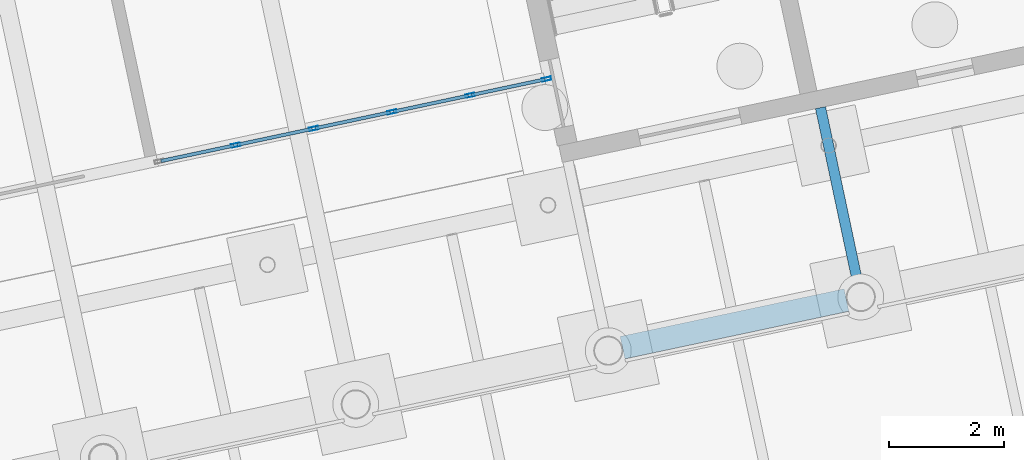
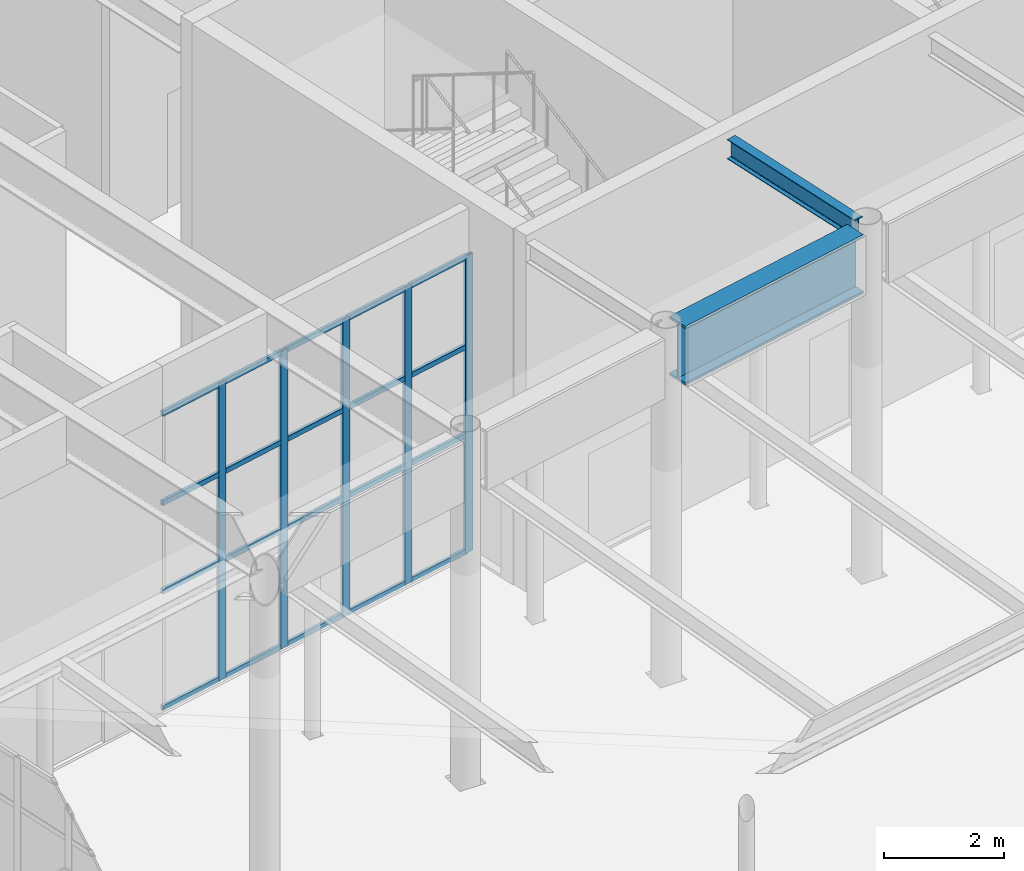
# One storey, part 76 of 239: 25 members, 2 beams, 1 element without a shape of its own.
"""IFC4 building model written with IfcOpenShell, lengths in metres."""

from ifc_helpers import new_model, si_unit, direction, frame, origin, origin_2d, place, context, subcontext, project, spatial, hollow_rectangle, i_section, extrude, material, material_profile, profile_set, type_object, element, aggregate, save


model = new_model("IFC4")

# Units and contexts
model_context = context("Model", 3, precision=1e-05, world=origin(), true_north=direction((0.0, 1.0)))
body_context = subcontext(model_context, "Body", "Model", "MODEL_VIEW")
ifc_project = project(units=[si_unit("LENGTHUNIT", "METRE"), si_unit("AREAUNIT", "SQUARE_METRE"), si_unit("VOLUMEUNIT", "CUBIC_METRE"), si_unit("PLANEANGLEUNIT", "RADIAN"), si_unit("MASSUNIT", "GRAM", prefix="KILO")], contexts=[model_context])

# Site, building, storey
site_placement = place(None, origin())
site = spatial("IfcSite", under=ifc_project, at=site_placement, CompositionType="ELEMENT")
building_placement = place(site_placement, origin())
building = spatial("IfcBuilding", under=site, at=building_placement, Name="Okhra Congress Centre", CompositionType="ELEMENT")
storey_placement = place(building_placement, origin())
storey = spatial("IfcBuildingStorey", under=building, at=storey_placement, Name="L00", CompositionType="ELEMENT", Elevation=0.0)

# Curtain wall, members
ifc_material_1 = material(Name="Aluminium curtain wall, triple glazing", Category="aluminium")
curtain_wall_type = type_object("IfcCurtainWallType", Name="Curtain wall 1500 module", PredefinedType="NOTDEFINED", material=ifc_material_1)
curtain_wall_placement = place(storey_placement, origin())
curtain_wall = element("IfcCurtainWall", 1, at=curtain_wall_placement, inside=storey, type_object=curtain_wall_type, Name="Ground curtain wall S3", PredefinedType="NOTDEFINED")
ifc_material_2 = material(Name="Aluminium alloy EN AW-6063 T66", Category="aluminium")
ifc_material_profile_1 = material_profile(ifc_material_2, hollow_rectangle(XDim=0.06005859375, YDim=0.159912109375, WallThickness=0.00390625, at=origin_2d()), Name="RHS 60x160x4")
ifc_profile_set_1 = profile_set([ifc_material_profile_1], Name="Aluminium alloy EN AW-6063 T66")
member_type_1 = type_object("IfcMemberType", Name="Curtain wall mullion 60x160", PredefinedType="MULLION", material=ifc_profile_set_1)
member_1_placement = place(storey_placement, frame((129.344482421875, 46.29736328125, 0.0), z_axis=(0.0, 0.0, 1.0), x_axis=(-0.207911690818, 0.978147600734, 0.0)))
member_1 = element("IfcMember", 2, at=member_1_placement, type_object=member_type_1, Name="CW7 mullion 2", PredefinedType="MULLION", context=body_context, shape_type="SweptSolid", body=[
    extrude(hollow_rectangle(XDim=0.06005859375, YDim=0.159912109375, WallThickness=0.00390625, at=origin_2d()), origin(), (0.0, 0.0, 1.0), 6.050048828125),
])
member_2_placement = place(storey_placement, frame((130.7060546875, 46.5869140625, 0.0), z_axis=(0.0, 0.0, 1.0), x_axis=(-0.207911690818, 0.978147600734, 0.0)))
member_2 = element("IfcMember", 3, at=member_2_placement, type_object=member_type_1, Name="CW7 mullion 3", PredefinedType="MULLION", context=body_context, shape_type="SweptSolid", body=[
    extrude(hollow_rectangle(XDim=0.06005859375, YDim=0.159912109375, WallThickness=0.00390625, at=origin_2d()), origin(), (0.0, 0.0, 1.0), 6.050048828125),
])
member_3_placement = place(storey_placement, frame((132.067626953125, 46.876220703125, 0.0), z_axis=(0.0, 0.0, 1.0), x_axis=(-0.207911690818, 0.978147600734, 0.0)))
member_3 = element("IfcMember", 4, at=member_3_placement, type_object=member_type_1, Name="CW7 mullion 4", PredefinedType="MULLION", context=body_context, shape_type="SweptSolid", body=[
    extrude(hollow_rectangle(XDim=0.06005859375, YDim=0.159912109375, WallThickness=0.00390625, at=origin_2d()), origin(), (0.0, 0.0, 1.0), 6.050048828125),
])
member_4_placement = place(storey_placement, frame((133.42919921875, 47.165771484375, 0.0), z_axis=(0.0, 0.0, 1.0), x_axis=(-0.207911690818, 0.978147600734, 0.0)))
member_4 = element("IfcMember", 5, at=member_4_placement, type_object=member_type_1, Name="CW7 mullion 5", PredefinedType="MULLION", context=body_context, shape_type="SweptSolid", body=[
    extrude(hollow_rectangle(XDim=0.06005859375, YDim=0.159912109375, WallThickness=0.00390625, at=origin_2d()), origin(), (0.0, 0.0, 1.0), 6.050048828125),
])
member_5_placement = place(storey_placement, frame((134.761474609375, 47.44873046875, 0.0), z_axis=(0.0, 0.0, 1.0), x_axis=(-0.207911690818, 0.978147600734, 0.0)))
member_5 = element("IfcMember", 6, at=member_5_placement, type_object=member_type_1, Name="CW7 mullion 6", PredefinedType="MULLION", context=body_context, shape_type="SweptSolid", body=[
    extrude(hollow_rectangle(XDim=0.06005859375, YDim=0.159912109375, WallThickness=0.00390625, at=origin_2d()), origin(), (0.0, 0.0, 1.0), 6.050048828125),
])
ifc_material_profile_2 = material_profile(ifc_material_2, hollow_rectangle(XDim=0.06005859375, YDim=0.10009765625, WallThickness=0.00390625, at=origin_2d()), Name="RHS 60x100x4")
ifc_profile_set_2 = profile_set([ifc_material_profile_2], Name="Aluminium alloy EN AW-6063 T66")
member_type_2 = type_object("IfcMemberType", Name="Curtain wall transom 60x100", PredefinedType="USERDEFINED", material=ifc_profile_set_2)
member_6_placement = place(storey_placement, frame((128.04150390625, 46.0205078125, 0.030029296875), z_axis=(0.978144076716, 0.207928269327, 0.0), x_axis=(-0.207928269327, 0.978144076716, 0.0)))
member_6 = element("IfcMember", 7, at=member_6_placement, type_object=member_type_2, Name="CW7 transom 1.1", ObjectType="TRANSOM", PredefinedType="USERDEFINED", context=body_context, shape_type="SweptSolid", body=[
    extrude(hollow_rectangle(XDim=0.06005859375, YDim=0.10009765625, WallThickness=0.00390625, at=origin_2d()), origin(), (0.0, 0.0, 1.0), 1.30224609375),
])
member_7_placement = place(storey_placement, frame((128.04150390625, 46.0205078125, 2.39990234375), z_axis=(0.978144076716, 0.207928269327, 0.0), x_axis=(-0.207928269327, 0.978144076716, 0.0)))
member_7 = element("IfcMember", 8, at=member_7_placement, type_object=member_type_2, Name="CW7 transom 1.2", ObjectType="TRANSOM", PredefinedType="USERDEFINED", context=body_context, shape_type="SweptSolid", body=[
    extrude(hollow_rectangle(XDim=0.06005859375, YDim=0.10009765625, WallThickness=0.00390625, at=origin_2d()), origin(), (0.0, 0.0, 1.0), 1.30224609375),
])
member_8_placement = place(storey_placement, frame((128.04150390625, 46.0205078125, 4.199951171875), z_axis=(0.978144076716, 0.207928269327, 0.0), x_axis=(-0.207928269327, 0.978144076716, 0.0)))
member_8 = element("IfcMember", 9, at=member_8_placement, type_object=member_type_2, Name="CW7 transom 1.3", ObjectType="TRANSOM", PredefinedType="USERDEFINED", context=body_context, shape_type="SweptSolid", body=[
    extrude(hollow_rectangle(XDim=0.06005859375, YDim=0.10009765625, WallThickness=0.00390625, at=origin_2d()), origin(), (0.0, 0.0, 1.0), 1.30224609375),
])
member_9_placement = place(storey_placement, frame((128.04150390625, 46.0205078125, 6.02001953125), z_axis=(0.978144076716, 0.207928269327, 0.0), x_axis=(-0.207928269327, 0.978144076716, 0.0)))
member_9 = element("IfcMember", 10, at=member_9_placement, type_object=member_type_2, Name="CW7 transom 1.4", ObjectType="TRANSOM", PredefinedType="USERDEFINED", context=body_context, shape_type="SweptSolid", body=[
    extrude(hollow_rectangle(XDim=0.06005859375, YDim=0.10009765625, WallThickness=0.00390625, at=origin_2d()), origin(), (0.0, 0.0, 1.0), 1.30224609375),
])
member_10_placement = place(storey_placement, frame((129.373779296875, 46.3037109375, 0.030029296875), z_axis=(0.978163042941, 0.207839027674, 0.0), x_axis=(-0.207839027674, 0.978163042941, 0.0)))
member_10 = element("IfcMember", 11, at=member_10_placement, type_object=member_type_2, Name="CW7 transom 2.1", ObjectType="TRANSOM", PredefinedType="USERDEFINED", context=body_context, shape_type="SweptSolid", body=[
    extrude(hollow_rectangle(XDim=0.06005859375, YDim=0.10009765625, WallThickness=0.00390625, at=origin_2d()), origin(), (0.0, 0.0, 1.0), 1.33203125),
])
member_11_placement = place(storey_placement, frame((129.373779296875, 46.3037109375, 2.39990234375), z_axis=(0.978163042941, 0.207839027674, 0.0), x_axis=(-0.207839027674, 0.978163042941, 0.0)))
member_11 = element("IfcMember", 12, at=member_11_placement, type_object=member_type_2, Name="CW7 transom 2.2", ObjectType="TRANSOM", PredefinedType="USERDEFINED", context=body_context, shape_type="SweptSolid", body=[
    extrude(hollow_rectangle(XDim=0.06005859375, YDim=0.10009765625, WallThickness=0.00390625, at=origin_2d()), origin(), (0.0, 0.0, 1.0), 1.33203125),
])
member_12_placement = place(storey_placement, frame((129.373779296875, 46.3037109375, 4.199951171875), z_axis=(0.978163042941, 0.207839027674, 0.0), x_axis=(-0.207839027674, 0.978163042941, 0.0)))
member_12 = element("IfcMember", 13, at=member_12_placement, type_object=member_type_2, Name="CW7 transom 2.3", ObjectType="TRANSOM", PredefinedType="USERDEFINED", context=body_context, shape_type="SweptSolid", body=[
    extrude(hollow_rectangle(XDim=0.06005859375, YDim=0.10009765625, WallThickness=0.00390625, at=origin_2d()), origin(), (0.0, 0.0, 1.0), 1.33203125),
])
member_13_placement = place(storey_placement, frame((129.373779296875, 46.3037109375, 6.02001953125), z_axis=(0.978163042941, 0.207839027674, 0.0), x_axis=(-0.207839027674, 0.978163042941, 0.0)))
member_13 = element("IfcMember", 14, at=member_13_placement, type_object=member_type_2, Name="CW7 transom 2.4", ObjectType="TRANSOM", PredefinedType="USERDEFINED", context=body_context, shape_type="SweptSolid", body=[
    extrude(hollow_rectangle(XDim=0.06005859375, YDim=0.10009765625, WallThickness=0.00390625, at=origin_2d()), origin(), (0.0, 0.0, 1.0), 1.33203125),
])
member_14_placement = place(storey_placement, frame((130.7353515625, 46.593017578125, 0.030029296875), z_axis=(0.978125767824, 0.208014380079, 0.0), x_axis=(-0.208014380079, 0.978125767824, 0.0)))
member_14 = element("IfcMember", 15, at=member_14_placement, type_object=member_type_2, Name="CW7 transom 3.1", ObjectType="TRANSOM", PredefinedType="USERDEFINED", context=body_context, shape_type="SweptSolid", body=[
    extrude(hollow_rectangle(XDim=0.06005859375, YDim=0.10009765625, WallThickness=0.00390625, at=origin_2d()), origin(), (0.0, 0.0, 1.0), 1.33203125),
])
member_15_placement = place(storey_placement, frame((130.7353515625, 46.593017578125, 2.39990234375), z_axis=(0.978125767824, 0.208014380079, 0.0), x_axis=(-0.208014380079, 0.978125767824, 0.0)))
member_15 = element("IfcMember", 16, at=member_15_placement, type_object=member_type_2, Name="CW7 transom 3.2", ObjectType="TRANSOM", PredefinedType="USERDEFINED", context=body_context, shape_type="SweptSolid", body=[
    extrude(hollow_rectangle(XDim=0.06005859375, YDim=0.10009765625, WallThickness=0.00390625, at=origin_2d()), origin(), (0.0, 0.0, 1.0), 1.33203125),
])
member_16_placement = place(storey_placement, frame((130.7353515625, 46.593017578125, 4.199951171875), z_axis=(0.978125767824, 0.208014380079, 0.0), x_axis=(-0.208014380079, 0.978125767824, 0.0)))
member_16 = element("IfcMember", 17, at=member_16_placement, type_object=member_type_2, Name="CW7 transom 3.3", ObjectType="TRANSOM", PredefinedType="USERDEFINED", context=body_context, shape_type="SweptSolid", body=[
    extrude(hollow_rectangle(XDim=0.06005859375, YDim=0.10009765625, WallThickness=0.00390625, at=origin_2d()), origin(), (0.0, 0.0, 1.0), 1.33203125),
])
member_17_placement = place(storey_placement, frame((130.7353515625, 46.593017578125, 6.02001953125), z_axis=(0.978125767824, 0.208014380079, 0.0), x_axis=(-0.208014380079, 0.978125767824, 0.0)))
member_17 = element("IfcMember", 18, at=member_17_placement, type_object=member_type_2, Name="CW7 transom 3.4", ObjectType="TRANSOM", PredefinedType="USERDEFINED", context=body_context, shape_type="SweptSolid", body=[
    extrude(hollow_rectangle(XDim=0.06005859375, YDim=0.10009765625, WallThickness=0.00390625, at=origin_2d()), origin(), (0.0, 0.0, 1.0), 1.33203125),
])
member_18_placement = place(storey_placement, frame((132.096923828125, 46.882568359375, 0.030029296875), z_axis=(0.978163042941, 0.207839027674, 0.0), x_axis=(-0.207839027674, 0.978163042941, 0.0)))
member_18 = element("IfcMember", 19, at=member_18_placement, type_object=member_type_2, Name="CW7 transom 4.1", ObjectType="TRANSOM", PredefinedType="USERDEFINED", context=body_context, shape_type="SweptSolid", body=[
    extrude(hollow_rectangle(XDim=0.06005859375, YDim=0.10009765625, WallThickness=0.00390625, at=origin_2d()), origin(), (0.0, 0.0, 1.0), 1.33203125),
])
member_19_placement = place(storey_placement, frame((132.096923828125, 46.882568359375, 2.39990234375), z_axis=(0.978163042941, 0.207839027674, 0.0), x_axis=(-0.207839027674, 0.978163042941, 0.0)))
member_19 = element("IfcMember", 20, at=member_19_placement, type_object=member_type_2, Name="CW7 transom 4.2", ObjectType="TRANSOM", PredefinedType="USERDEFINED", context=body_context, shape_type="SweptSolid", body=[
    extrude(hollow_rectangle(XDim=0.06005859375, YDim=0.10009765625, WallThickness=0.00390625, at=origin_2d()), origin(), (0.0, 0.0, 1.0), 1.33203125),
])
member_20_placement = place(storey_placement, frame((132.096923828125, 46.882568359375, 4.199951171875), z_axis=(0.978163042941, 0.207839027674, 0.0), x_axis=(-0.207839027674, 0.978163042941, 0.0)))
member_20 = element("IfcMember", 21, at=member_20_placement, type_object=member_type_2, Name="CW7 transom 4.3", ObjectType="TRANSOM", PredefinedType="USERDEFINED", context=body_context, shape_type="SweptSolid", body=[
    extrude(hollow_rectangle(XDim=0.06005859375, YDim=0.10009765625, WallThickness=0.00390625, at=origin_2d()), origin(), (0.0, 0.0, 1.0), 1.33203125),
])
member_21_placement = place(storey_placement, frame((132.096923828125, 46.882568359375, 6.02001953125), z_axis=(0.978163042941, 0.207839027674, 0.0), x_axis=(-0.207839027674, 0.978163042941, 0.0)))
member_21 = element("IfcMember", 22, at=member_21_placement, type_object=member_type_2, Name="CW7 transom 4.4", ObjectType="TRANSOM", PredefinedType="USERDEFINED", context=body_context, shape_type="SweptSolid", body=[
    extrude(hollow_rectangle(XDim=0.06005859375, YDim=0.10009765625, WallThickness=0.00390625, at=origin_2d()), origin(), (0.0, 0.0, 1.0), 1.33203125),
])
member_22_placement = place(storey_placement, frame((133.45849609375, 47.171875, 0.030029296875), z_axis=(0.978144076716, 0.207928269327, 0.0), x_axis=(-0.207928269327, 0.978144076716, 0.0)))
member_22 = element("IfcMember", 23, at=member_22_placement, type_object=member_type_2, Name="CW7 transom 5.1", ObjectType="TRANSOM", PredefinedType="USERDEFINED", context=body_context, shape_type="SweptSolid", body=[
    extrude(hollow_rectangle(XDim=0.06005859375, YDim=0.10009765625, WallThickness=0.00390625, at=origin_2d()), origin(), (0.0, 0.0, 1.0), 1.30224609375),
])
member_23_placement = place(storey_placement, frame((133.45849609375, 47.171875, 2.39990234375), z_axis=(0.978144076716, 0.207928269327, 0.0), x_axis=(-0.207928269327, 0.978144076716, 0.0)))
member_23 = element("IfcMember", 24, at=member_23_placement, type_object=member_type_2, Name="CW7 transom 5.2", ObjectType="TRANSOM", PredefinedType="USERDEFINED", context=body_context, shape_type="SweptSolid", body=[
    extrude(hollow_rectangle(XDim=0.06005859375, YDim=0.10009765625, WallThickness=0.00390625, at=origin_2d()), origin(), (0.0, 0.0, 1.0), 1.30224609375),
])
member_24_placement = place(storey_placement, frame((133.45849609375, 47.171875, 4.199951171875), z_axis=(0.978144076716, 0.207928269327, 0.0), x_axis=(-0.207928269327, 0.978144076716, 0.0)))
member_24 = element("IfcMember", 25, at=member_24_placement, type_object=member_type_2, Name="CW7 transom 5.3", ObjectType="TRANSOM", PredefinedType="USERDEFINED", context=body_context, shape_type="SweptSolid", body=[
    extrude(hollow_rectangle(XDim=0.06005859375, YDim=0.10009765625, WallThickness=0.00390625, at=origin_2d()), origin(), (0.0, 0.0, 1.0), 1.30224609375),
])
member_25_placement = place(storey_placement, frame((133.45849609375, 47.171875, 6.02001953125), z_axis=(0.978144076716, 0.207928269327, 0.0), x_axis=(-0.207928269327, 0.978144076716, 0.0)))
member_25 = element("IfcMember", 26, at=member_25_placement, type_object=member_type_2, Name="CW7 transom 5.4", ObjectType="TRANSOM", PredefinedType="USERDEFINED", context=body_context, shape_type="SweptSolid", body=[
    extrude(hollow_rectangle(XDim=0.06005859375, YDim=0.10009765625, WallThickness=0.00390625, at=origin_2d()), origin(), (0.0, 0.0, 1.0), 1.30224609375),
])
aggregate(curtain_wall, [member_1, member_2, member_3, member_4, member_5, member_6, member_7, member_8, member_9, member_10, member_11, member_12, member_13, member_14, member_15, member_16, member_17, member_18, member_19, member_20, member_21, member_22, member_23, member_24, member_25])

# Beams
ifc_material_3 = material(Name="Steel S355J2", Category="steel")
ifc_material_profile_3 = material_profile(ifc_material_3, i_section(OverallWidth=0.179931640625, OverallDepth=0.39990234375, WebThickness=0.008544921875, FlangeThickness=0.013427734375, FilletRadius=0.02099609375, at=origin_2d()), Name="IPE 400")
ifc_profile_set_3 = profile_set([ifc_material_profile_3], Name="Steel S355J2")
beam_type_1 = type_object("IfcBeamType", Name="Floor beam stub IPE 400", PredefinedType="BEAM", material=ifc_profile_set_3)
beam_1_placement = place(storey_placement, frame((140.199462890625, 43.845703125, 6.85009765625), z_axis=(-0.207916691923, 0.978146537703, 0.0), x_axis=(-0.978146537703, -0.207916691923, 0.0)))
element("IfcBeam", 27, at=beam_1_placement, inside=storey, type_object=beam_type_1, Name="Floor beam 18.1", PredefinedType="BEAM", context=body_context, shape_type="SweptSolid", body=[
    extrude(i_section(OverallWidth=0.179931640625, OverallDepth=0.39990234375, WebThickness=0.008544921875, FlangeThickness=0.013427734375, FilletRadius=0.02099609375, at=origin_2d()), origin(), (0.0, 0.0, 1.0), 3.175048828125),
])
ifc_material_profile_4 = material_profile(ifc_material_3, i_section(OverallWidth=0.39990234375, OverallDepth=1.199951171875, WebThickness=0.02490234375, FlangeThickness=0.050048828125, at=origin_2d()), Name="Plate girder 1200x400")
ifc_profile_set_4 = profile_set([ifc_material_profile_4], Name="Steel S355J2")
beam_type_2 = type_object("IfcBeamType", Name="Perimeter plate girder 1200x400", PredefinedType="BEAM", material=ifc_profile_set_4)
beam_2_placement = place(storey_placement, frame((136.087646484375, 42.767333984375, 6.449951171875), z_axis=(0.978155431297, 0.207874847504, 0.0), x_axis=(-0.207874847504, 0.978155431297, 0.0)))
element("IfcBeam", 28, at=beam_2_placement, inside=storey, type_object=beam_type_2, Name="Perimeter girder S15", PredefinedType="BEAM", context=body_context, shape_type="SweptSolid", body=[
    extrude(i_section(OverallWidth=0.39990234375, OverallDepth=1.199951171875, WebThickness=0.02490234375, FlangeThickness=0.050048828125, at=origin_2d()), origin(), (0.0, 0.0, 1.0), 3.991943359375),
])

save(model, "model.ifc")
